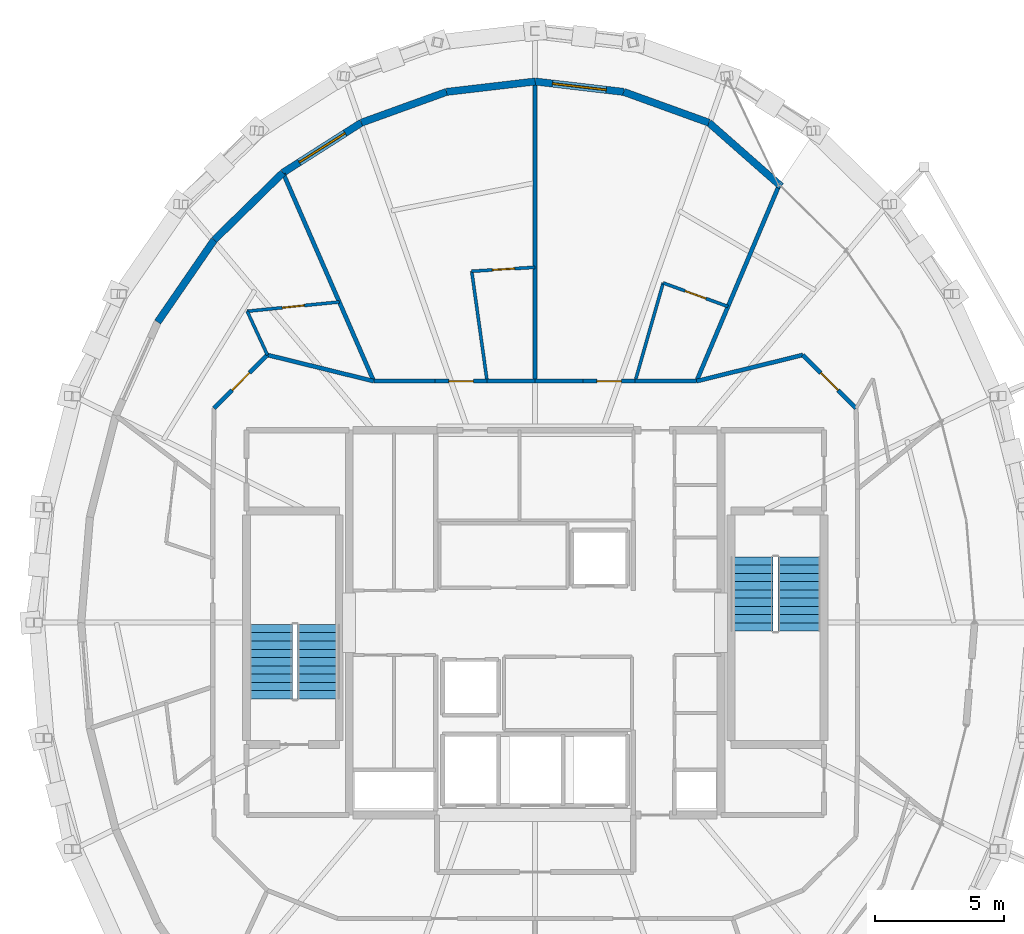
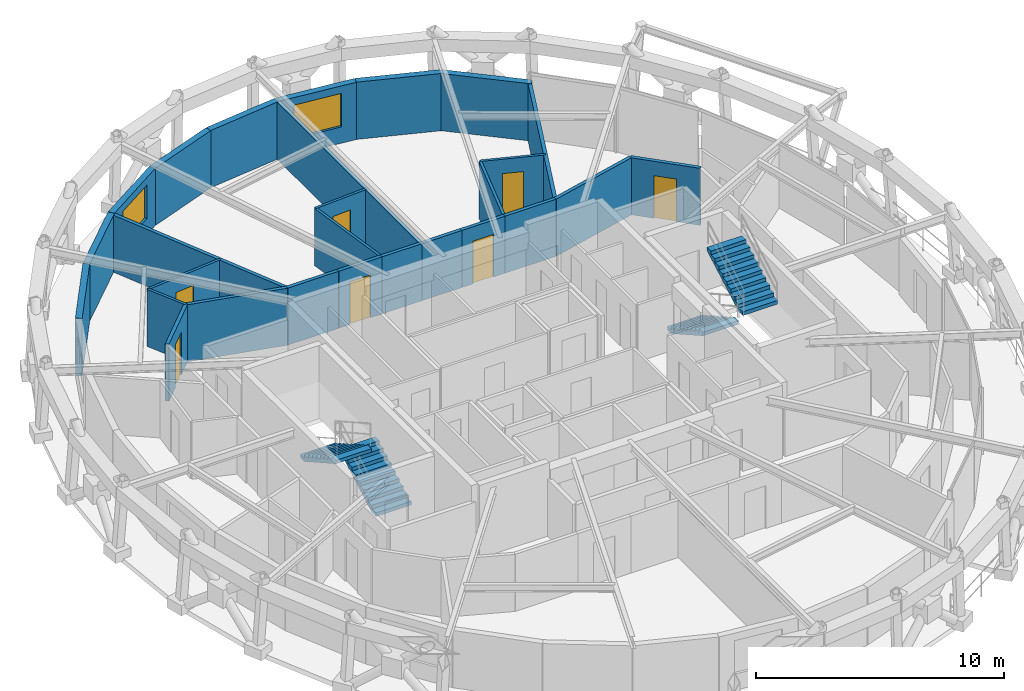
# One storey, part 13 of 14: 27 walls, 7 doors, 4 stair flights, 2 windows, 9 openings, 2 elements without a shape of their own.
"""IFC4 building model written with IfcOpenShell, lengths in metres."""

from ifc_helpers import new_model, si_unit, direction, frame, frame_2d, origin, place, context, subcontext, project, spatial, polyline, rectangle, outline, extrude, material, layer, layer_set, type_object, element, fill, aggregate, save


model = new_model("IFC4")

# Units and contexts
model_context = context("Model", 3, precision=1e-05, world=origin(), true_north=direction((0.0, 1.0)))
body_context = subcontext(model_context, "Body", "Model", "MODEL_VIEW")
ifc_project = project(units=[si_unit("LENGTHUNIT", "METRE"), si_unit("AREAUNIT", "SQUARE_METRE"), si_unit("VOLUMEUNIT", "CUBIC_METRE"), si_unit("PLANEANGLEUNIT", "RADIAN"), si_unit("MASSUNIT", "GRAM", prefix="KILO")], contexts=[model_context])

# Site, building, storey
site_placement = place(None, origin())
site = spatial("IfcSite", under=ifc_project, at=site_placement, CompositionType="ELEMENT")
building_placement = place(site_placement, origin())
building = spatial("IfcBuilding", under=site, at=building_placement, Name="Veldorina Hangang Commons", CompositionType="ELEMENT")
storey_placement = place(building_placement, frame((0.0, 0.0, 294.0)))
storey = spatial("IfcBuildingStorey", under=building, at=storey_placement, Name="L77", CompositionType="ELEMENT", Elevation=294.0)

# Walls
ifc_material_1 = material(Name="Stone Roman Travertine", Category="masonry")
ifc_layer_1 = layer(ifc_material_1, 0.280029296875)
ifc_layer_set_1 = layer_set([ifc_layer_1], Name="Stone Roman Travertine")
wall_type_1 = type_object("IfcWallType", Name="EW-TRAV-280", PredefinedType="STANDARD", material=ifc_layer_set_1)
wall_1_placement = place(storey_placement, frame((41.522705078125, 40.89453125, 0.0), z_axis=(0.0, 0.0, 1.0), x_axis=(-0.75049902536, 0.660871555549, 0.0)))
element("IfcWall", 1, at=wall_1_placement, inside=storey, type_object=wall_type_1, Name="L77 travertine facade wall 05", PredefinedType="STANDARD", context=body_context, shape_type="SweptSolid", body=[
    extrude(rectangle(XDim=3.726318359375, YDim=0.280029296875, at=frame_2d((1.86328125, 0.0))), origin(), (0.0, 0.0, 1.0), 2.820068359375),
])
wall_2_placement = place(storey_placement, frame((38.72607421875, 43.357177734375, 0.0), z_axis=(0.0, 0.0, 1.0), x_axis=(-0.940393758193, 0.340087605703, 0.0)))
element("IfcWall", 2, at=wall_2_placement, inside=storey, type_object=wall_type_1, Name="L77 travertine facade wall 06", PredefinedType="STANDARD", context=body_context, shape_type="SweptSolid", body=[
    extrude(rectangle(XDim=3.506103515625, YDim=0.280029296875, at=frame_2d((1.7529296875, 0.0))), origin(), (0.0, 0.0, 1.0), 2.820068359375),
])

# Wall, opening, window
wall_3_placement = place(storey_placement, frame((35.428955078125, 44.549560546875, 0.0), z_axis=(0.0, 0.0, 1.0), x_axis=(-0.993178090084, 0.116607381314, 0.0)))
wall_3 = element("IfcWall", 3, at=wall_3_placement, inside=storey, type_object=wall_type_1, Name="L77 travertine facade wall 07", PredefinedType="STANDARD", context=body_context, shape_type="SweptSolid", body=[
    extrude(rectangle(XDim=3.452392578125, YDim=0.280029296875, at=frame_2d((1.72607421875, 0.0))), origin(), (0.0, 0.0, 1.0), 2.820068359375),
])
opening_1_placement = place(wall_3_placement, frame((0.67626953125, 0.0, 0.800048828125)))
opening_1 = element("IfcOpeningElement", 4, at=opening_1_placement, cuts=wall_3, Name="Opening W-03", PredefinedType="OPENING", context=body_context, shape_type="SweptSolid", body=[
    extrude(rectangle(XDim=2.10009765625, YDim=1.64990234375, at=frame_2d((1.050048828125, 0.824951171875))), frame((0.0, 0.14990234375, 0.0), z_axis=(0.0, -1.0, 0.0), x_axis=(1.0, 0.0, 0.0)), (0.0, 0.0, 1.0), 0.300048828125),
])
ifc_material_2 = material(Name="Glass Low-E Triple IGU", Category="glass")
window_type = type_object("IfcWindowType", Name="WIN-TWR-2100", PartitioningType="SINGLE_PANEL", PredefinedType="WINDOW", material=ifc_material_2)
window_1_placement = place(opening_1_placement, origin())
window_1 = element("IfcWindow", 5, at=window_1_placement, inside=storey, type_object=window_type, Name="L77 facade window 07", OverallHeight=1.64990234375, OverallWidth=2.10009765625, PartitioningType="SINGLE_PANEL", PredefinedType="WINDOW", context=body_context, shape_type="SweptSolid", body=[
    extrude(rectangle(XDim=2.10009765625, YDim=1.64990234375, at=frame_2d((1.050048828125, 0.824951171875))), frame((0.0, 0.030029296875, 0.0), z_axis=(0.0, -1.0, 0.0), x_axis=(1.0, 0.0, 0.0)), (0.0, 0.0, 1.0), 0.06005859375),
])
fill(opening_1, window_1)

# Walls
wall_4_placement = place(storey_placement, frame((32.0, 44.9521484375, 0.0), z_axis=(0.0, 0.0, 1.0), x_axis=(-0.993178090084, -0.116607381314, 0.0)))
element("IfcWall", 6, at=wall_4_placement, inside=storey, type_object=wall_type_1, Name="L77 travertine facade wall 08", PredefinedType="STANDARD", context=body_context, shape_type="SweptSolid", body=[
    extrude(rectangle(XDim=3.452392578125, YDim=0.280029296875, at=frame_2d((1.72607421875, 0.0))), origin(), (0.0, 0.0, 1.0), 2.820068359375),
])
wall_5_placement = place(storey_placement, frame((28.571044921875, 44.549560546875, 0.0), z_axis=(0.0, 0.0, 1.0), x_axis=(-0.940393758193, -0.340087605703, 0.0)))
element("IfcWall", 7, at=wall_5_placement, inside=storey, type_object=wall_type_1, Name="L77 travertine facade wall 09", PredefinedType="STANDARD", context=body_context, shape_type="SweptSolid", body=[
    extrude(rectangle(XDim=3.506103515625, YDim=0.280029296875, at=frame_2d((1.7529296875, 0.0))), origin(), (0.0, 0.0, 1.0), 2.820068359375),
])

# Wall, opening, window
wall_6_placement = place(storey_placement, frame((25.27392578125, 43.357177734375, 0.0), z_axis=(0.0, 0.0, 1.0), x_axis=(-0.843329306989, -0.537397134319, 0.0)))
wall_6 = element("IfcWall", 8, at=wall_6_placement, inside=storey, type_object=wall_type_1, Name="L77 travertine facade wall 10", PredefinedType="STANDARD", context=body_context, shape_type="SweptSolid", body=[
    extrude(rectangle(XDim=3.60302734375, YDim=0.280029296875, at=frame_2d((1.801513671875, 0.0))), origin(), (0.0, 0.0, 1.0), 2.820068359375),
])
opening_2_placement = place(wall_6_placement, frame((0.751708984375, 0.0, 0.800048828125)))
opening_2 = element("IfcOpeningElement", 9, at=opening_2_placement, cuts=wall_6, Name="Opening W-03", PredefinedType="OPENING", context=body_context, shape_type="SweptSolid", body=[
    extrude(rectangle(XDim=2.10009765625, YDim=1.64990234375, at=frame_2d((1.050048828125, 0.824951171875))), frame((0.0, 0.14990234375, 0.0), z_axis=(0.0, -1.0, 0.0), x_axis=(1.0, 0.0, 0.0)), (0.0, 0.0, 1.0), 0.300048828125),
])
window_2_placement = place(opening_2_placement, origin())
window_2 = element("IfcWindow", 10, at=window_2_placement, inside=storey, type_object=window_type, Name="L77 facade window 10", OverallHeight=1.64990234375, OverallWidth=2.10009765625, PartitioningType="SINGLE_PANEL", PredefinedType="WINDOW", context=body_context, shape_type="SweptSolid", body=[
    extrude(rectangle(XDim=2.10009765625, YDim=1.64990234375, at=frame_2d((1.050048828125, 0.824951171875))), frame((0.0, 0.030029296875, 0.0), z_axis=(0.0, -1.0, 0.0), x_axis=(1.0, 0.0, 0.0)), (0.0, 0.0, 1.0), 0.06005859375),
])
fill(opening_2, window_2)

# Walls
wall_7_placement = place(storey_placement, frame((22.2353515625, 41.4208984375, 0.0), z_axis=(0.0, 0.0, 1.0), x_axis=(-0.714829041056, -0.699299250724, 0.0)))
element("IfcWall", 11, at=wall_7_placement, inside=storey, type_object=wall_type_1, Name="L77 travertine facade wall 11", PredefinedType="STANDARD", context=body_context, shape_type="SweptSolid", body=[
    extrude(rectangle(XDim=3.725830078125, YDim=0.280029296875, at=frame_2d((1.86279296875, 0.0))), origin(), (0.0, 0.0, 1.0), 2.820068359375),
])
wall_8_placement = place(storey_placement, frame((19.572021484375, 38.8154296875, 0.0), z_axis=(0.0, 0.0, 1.0), x_axis=(-0.567090463347, -0.823655514388, 0.0)))
element("IfcWall", 12, at=wall_8_placement, inside=storey, type_object=wall_type_1, Name="L77 travertine facade wall 12", PredefinedType="STANDARD", context=body_context, shape_type="SweptSolid", body=[
    extrude(rectangle(XDim=3.854736328125, YDim=0.280029296875, at=frame_2d((1.92724609375, 0.0))), origin(), (0.0, 0.0, 1.0), 2.820068359375),
])

# Wall, opening, door
ifc_material_3 = material(Name="Gypsum Fire-Rated Twin Stud Wall", Category="gypsum")
ifc_layer_2 = layer(ifc_material_3, 0.159912109375)
ifc_layer_set_2 = layer_set([ifc_layer_2], Name="Gypsum Fire-Rated Twin Stud Wall")
wall_type_2 = type_object("IfcWallType", Name="WL-FIRE-160", PredefinedType="SOLIDWALL", material=ifc_layer_set_2)
wall_9_placement = place(storey_placement, frame((44.4267578125, 32.30322265625, 0.0), z_axis=(0.0, 0.0, 1.0), x_axis=(-0.707106781187, 0.707106781187, 0.0)))
wall_9 = element("IfcWall", 13, at=wall_9_placement, inside=storey, type_object=wall_type_2, Name="L77 Compact collar outer wall 03 059", PredefinedType="SOLIDWALL", context=body_context, shape_type="SweptSolid", body=[
    extrude(rectangle(XDim=2.915771484375, YDim=0.159912109375, at=frame_2d((1.4580078125, 0.0))), origin(), (0.0, 0.0, 1.0), 2.81005859375),
])
opening_3_placement = place(wall_9_placement, frame((0.98291015625, 0.0, 0.0)))
opening_3 = element("IfcOpeningElement", 14, at=opening_3_placement, cuts=wall_9, Name="Opening D-03", PredefinedType="OPENING", context=body_context, shape_type="SweptSolid", body=[
    extrude(rectangle(XDim=0.949951171875, YDim=2.10009765625, at=frame_2d((0.47509765625, 1.050048828125))), frame((0.0, 0.08984375, 0.0), z_axis=(0.0, -1.0, 0.0), x_axis=(1.0, 0.0, 0.0)), (0.0, 0.0, 1.0), 0.179931640625),
])
ifc_material_4 = material(Name="Timber Fire-Rated Entrance Core", Category="wood")
door_type_1 = type_object("IfcDoorType", Name="DR-UNIT-950", OperationType="SINGLE_SWING_RIGHT", PredefinedType="DOOR", material=ifc_material_4)
door_1_placement = place(opening_3_placement, origin())
door_1 = element("IfcDoor", 15, at=door_1_placement, inside=storey, type_object=door_type_1, Name="L77 Studio 2 entrance door 026", OperationType="SINGLE_SWING_RIGHT", OverallHeight=2.10009765625, OverallWidth=0.949951171875, PredefinedType="DOOR", context=body_context, shape_type="SweptSolid", body=[
    extrude(rectangle(XDim=0.949951171875, YDim=2.10009765625, at=frame_2d((0.47509765625, 1.050048828125))), frame((0.0, 0.02490234375, 0.0), z_axis=(0.0, -1.0, 0.0), x_axis=(1.0, 0.0, 0.0)), (0.0, 0.0, 1.0), 0.050048828125),
])
fill(opening_3, door_1)

# Walls
wall_10_placement = place(storey_placement, frame((42.364990234375, 34.364990234375, 0.0), z_axis=(0.0, 0.0, 1.0), x_axis=(-0.970939799552, -0.239323850978, 0.0)))
element("IfcWall", 16, at=wall_10_placement, inside=storey, type_object=wall_type_2, Name="L77 Compact collar outer wall 04 060", PredefinedType="SOLIDWALL", context=body_context, shape_type="SweptSolid", body=[
    extrude(rectangle(XDim=4.24072265625, YDim=0.159912109375, at=frame_2d((2.120361328125, 0.0))), origin(), (0.0, 0.0, 1.0), 2.81005859375),
])
wall_11_placement = place(storey_placement, frame((38.24755859375, 33.35009765625, 0.0), z_axis=(0.0, 0.0, 1.0), x_axis=(-1.0, 0.0, 0.0)))
element("IfcWall", 17, at=wall_11_placement, inside=storey, type_object=wall_type_2, Name="L77 Compact collar outer wall 05 061", PredefinedType="SOLIDWALL", context=body_context, shape_type="SweptSolid", body=[
    extrude(rectangle(XDim=2.374755859375, YDim=0.159912109375, at=frame_2d((1.1875, 0.0))), origin(), (0.0, 0.0, 1.0), 2.81005859375),
])

# Wall, opening, door
wall_12_placement = place(storey_placement, frame((35.872802734375, 33.35009765625, 0.0), z_axis=(0.0, 0.0, 1.0), x_axis=(-1.0, 0.0, 0.0)))
wall_12 = element("IfcWall", 18, at=wall_12_placement, inside=storey, type_object=wall_type_2, Name="L77 Compact collar outer wall 06 062", PredefinedType="SOLIDWALL", context=body_context, shape_type="SweptSolid", body=[
    extrude(rectangle(XDim=2.012939453125, YDim=0.159912109375, at=frame_2d((1.00634765625, 0.0))), origin(), (0.0, 0.0, 1.0), 2.81005859375),
])
opening_4_placement = place(wall_12_placement, frame((0.531494140625, 0.0, 0.0)))
opening_4 = element("IfcOpeningElement", 19, at=opening_4_placement, cuts=wall_12, Name="Opening D-03", PredefinedType="OPENING", context=body_context, shape_type="SweptSolid", body=[
    extrude(rectangle(XDim=0.949951171875, YDim=2.10009765625, at=frame_2d((0.47509765625, 1.050048828125))), frame((0.0, 0.08984375, 0.0), z_axis=(0.0, -1.0, 0.0), x_axis=(1.0, 0.0, 0.0)), (0.0, 0.0, 1.0), 0.179931640625),
])
door_2_placement = place(opening_4_placement, origin())
door_2 = element("IfcDoor", 20, at=door_2_placement, inside=storey, type_object=door_type_1, Name="L77 Studio 3 entrance door 028", OperationType="SINGLE_SWING_RIGHT", OverallHeight=2.10009765625, OverallWidth=0.949951171875, PredefinedType="DOOR", context=body_context, shape_type="SweptSolid", body=[
    extrude(rectangle(XDim=0.949951171875, YDim=2.10009765625, at=frame_2d((0.47509765625, 1.050048828125))), frame((0.0, 0.02490234375, 0.0), z_axis=(0.0, -1.0, 0.0), x_axis=(1.0, 0.0, 0.0)), (0.0, 0.0, 1.0), 0.050048828125),
])
fill(opening_4, door_2)

# Walls
for number, where, z_axis, x_axis, name in (
    (21, (33.85986328125, 33.35009765625, 0.0), (0.0, 0.0, 1.0), (-1.0, 0.0, 0.0), "L77 Compact collar outer wall 07 063"),
    (22, (32.0, 33.35009765625, 0.0), (0.0, 0.0, 1.0), (-1.0, 0.0, 0.0), "L77 Compact collar outer wall 08 064"),
):
    element("IfcWall", number, at=place(storey_placement, frame(where, z_axis=z_axis, x_axis=x_axis)), inside=storey, type_object=wall_type_2, Name=name, PredefinedType="SOLIDWALL", context=body_context, shape_type="SweptSolid", body=[
        extrude(rectangle(XDim=1.85986328125, YDim=0.159912109375, at=frame_2d((0.929931640625, 0.0))), origin(), (0.0, 0.0, 1.0), 2.81005859375),
    ])

# Wall, opening, door
wall_13_placement = place(storey_placement, frame((30.14013671875, 33.35009765625, 0.0), z_axis=(0.0, 0.0, 1.0), x_axis=(-1.0, 0.0, 0.0)))
wall_13 = element("IfcWall", 23, at=wall_13_placement, inside=storey, type_object=wall_type_2, Name="L77 Compact collar outer wall 09 065", PredefinedType="SOLIDWALL", context=body_context, shape_type="SweptSolid", body=[
    extrude(rectangle(XDim=2.012939453125, YDim=0.159912109375, at=frame_2d((1.00634765625, 0.0))), origin(), (0.0, 0.0, 1.0), 2.81005859375),
])
opening_5_placement = place(wall_13_placement, frame((0.531494140625, 0.0, 0.0)))
opening_5 = element("IfcOpeningElement", 24, at=opening_5_placement, cuts=wall_13, Name="Opening D-03", PredefinedType="OPENING", context=body_context, shape_type="SweptSolid", body=[
    extrude(rectangle(XDim=0.949951171875, YDim=2.10009765625, at=frame_2d((0.47509765625, 1.050048828125))), frame((0.0, 0.08984375, 0.0), z_axis=(0.0, -1.0, 0.0), x_axis=(1.0, 0.0, 0.0)), (0.0, 0.0, 1.0), 0.179931640625),
])
door_3_placement = place(opening_5_placement, origin())
door_3 = element("IfcDoor", 25, at=door_3_placement, inside=storey, type_object=door_type_1, Name="L77 Studio 4 entrance door 030", OperationType="SINGLE_SWING_RIGHT", OverallHeight=2.10009765625, OverallWidth=0.949951171875, PredefinedType="DOOR", context=body_context, shape_type="SweptSolid", body=[
    extrude(rectangle(XDim=0.949951171875, YDim=2.10009765625, at=frame_2d((0.47509765625, 1.050048828125))), frame((0.0, 0.02490234375, 0.0), z_axis=(0.0, -1.0, 0.0), x_axis=(1.0, 0.0, 0.0)), (0.0, 0.0, 1.0), 0.050048828125),
])
fill(opening_5, door_3)

# Walls
wall_14_placement = place(storey_placement, frame((28.127197265625, 33.35009765625, 0.0), z_axis=(0.0, 0.0, 1.0), x_axis=(-1.0, 0.0, 0.0)))
element("IfcWall", 26, at=wall_14_placement, inside=storey, type_object=wall_type_2, Name="L77 Compact collar outer wall 10 066", PredefinedType="SOLIDWALL", context=body_context, shape_type="SweptSolid", body=[
    extrude(rectangle(XDim=2.374755859375, YDim=0.159912109375, at=frame_2d((1.1875, 0.0))), origin(), (0.0, 0.0, 1.0), 2.81005859375),
])
wall_15_placement = place(storey_placement, frame((25.75244140625, 33.35009765625, 0.0), z_axis=(0.0, 0.0, 1.0), x_axis=(-0.970939799552, 0.239323850978, 0.0)))
element("IfcWall", 27, at=wall_15_placement, inside=storey, type_object=wall_type_2, Name="L77 Compact collar outer wall 11 067", PredefinedType="SOLIDWALL", context=body_context, shape_type="SweptSolid", body=[
    extrude(rectangle(XDim=4.24072265625, YDim=0.159912109375, at=frame_2d((2.120361328125, 0.0))), origin(), (0.0, 0.0, 1.0), 2.81005859375),
])

# Wall, opening, door
wall_16_placement = place(storey_placement, frame((21.635009765625, 34.364990234375, 0.0), z_axis=(0.0, 0.0, 1.0), x_axis=(-0.707106781187, -0.707106781187, 0.0)))
wall_16 = element("IfcWall", 28, at=wall_16_placement, inside=storey, type_object=wall_type_2, Name="L77 Compact collar outer wall 12 068", PredefinedType="SOLIDWALL", context=body_context, shape_type="SweptSolid", body=[
    extrude(rectangle(XDim=2.915771484375, YDim=0.159912109375, at=frame_2d((1.4580078125, 0.0))), origin(), (0.0, 0.0, 1.0), 2.81005859375),
])
opening_6_placement = place(wall_16_placement, frame((0.98291015625, 0.0, 0.0)))
opening_6 = element("IfcOpeningElement", 29, at=opening_6_placement, cuts=wall_16, Name="Opening D-03", PredefinedType="OPENING", context=body_context, shape_type="SweptSolid", body=[
    extrude(rectangle(XDim=0.949951171875, YDim=2.10009765625, at=frame_2d((0.47509765625, 1.050048828125))), frame((0.0, 0.08984375, 0.0), z_axis=(0.0, -1.0, 0.0), x_axis=(1.0, 0.0, 0.0)), (0.0, 0.0, 1.0), 0.179931640625),
])
door_4_placement = place(opening_6_placement, origin())
door_4 = element("IfcDoor", 30, at=door_4_placement, inside=storey, type_object=door_type_1, Name="L77 Studio 5 entrance door 032", OperationType="SINGLE_SWING_RIGHT", OverallHeight=2.10009765625, OverallWidth=0.949951171875, PredefinedType="DOOR", context=body_context, shape_type="SweptSolid", body=[
    extrude(rectangle(XDim=0.949951171875, YDim=2.10009765625, at=frame_2d((0.47509765625, 1.050048828125))), frame((0.0, 0.02490234375, 0.0), z_axis=(0.0, -1.0, 0.0), x_axis=(1.0, 0.0, 0.0)), (0.0, 0.0, 1.0), 0.050048828125),
])
fill(opening_6, door_4)

# Walls
wall_17_placement = place(storey_placement, frame((38.24755859375, 33.35009765625, 0.0), z_axis=(0.0, 0.0, 1.0), x_axis=(0.388445474078, 0.921471710726, 0.0)))
element("IfcWall", 31, at=wall_17_placement, inside=storey, type_object=wall_type_2, Name="L77 Unit party wall 05 092", PredefinedType="SOLIDWALL", context=body_context, shape_type="SweptSolid", body=[
    extrude(rectangle(XDim=8.203369140625, YDim=0.159912109375, at=frame_2d((4.1015625, 0.0))), origin(), (0.0, 0.0, 1.0), 2.81005859375),
])
wall_18_placement = place(storey_placement, frame((32.0, 33.35009765625, 0.0), z_axis=(0.0, 0.0, 1.0), x_axis=(0.0, 1.0, 0.0)))
element("IfcWall", 32, at=wall_18_placement, inside=storey, type_object=wall_type_2, Name="L77 Unit party wall 08 095", PredefinedType="SOLIDWALL", context=body_context, shape_type="SweptSolid", body=[
    extrude(rectangle(XDim=11.552001953125, YDim=0.159912109375, at=frame_2d((5.77587890625, 0.0))), origin(), (0.0, 0.0, 1.0), 2.81005859375),
])
wall_19_placement = place(storey_placement, frame((25.75244140625, 33.35009765625, 0.0), z_axis=(0.0, 0.0, 1.0), x_axis=(-0.399482659975, 0.91674075091, 0.0)))
element("IfcWall", 33, at=wall_19_placement, inside=storey, type_object=wall_type_2, Name="L77 Unit party wall 11 098", PredefinedType="SOLIDWALL", context=body_context, shape_type="SweptSolid", body=[
    extrude(rectangle(XDim=8.75390625, YDim=0.159912109375, at=frame_2d((4.376953125, 0.0))), origin(), (0.0, 0.0, 1.0), 2.81005859375),
])

# Wall, opening, door
ifc_material_5 = material(Name="Gypsum Acoustic Stud Partition", Category="gypsum")
ifc_layer_3 = layer(ifc_material_5, 0.1201171875)
ifc_layer_set_3 = layer_set([ifc_layer_3], Name="Gypsum Acoustic Stud Partition")
wall_type_3 = type_object("IfcWallType", Name="WL-PART-120", PredefinedType="PARTITIONING", material=ifc_layer_set_3)
wall_20_placement = place(storey_placement, frame((39.4658203125, 36.239990234375, 0.0), z_axis=(0.0, 0.0, 1.0), x_axis=(-0.939756036214, 0.341845860585, 0.0)))
wall_20 = element("IfcWall", 34, at=wall_20_placement, inside=storey, type_object=wall_type_3, Name="L77 Studio 3 bath front wall 093", PredefinedType="PARTITIONING", context=body_context, shape_type="SweptSolid", body=[
    extrude(rectangle(XDim=2.669677734375, YDim=0.1201171875, at=frame_2d((1.3349609375, 0.0))), origin(), (0.0, 0.0, 1.0), 2.81005859375),
])
opening_7_placement = place(wall_20_placement, frame((0.90478515625, 0.0, 0.0)))
opening_7 = element("IfcOpeningElement", 35, at=opening_7_placement, cuts=wall_20, Name="Opening D-01", PredefinedType="OPENING", context=body_context, shape_type="SweptSolid", body=[
    extrude(rectangle(XDim=0.860107421875, YDim=2.10009765625, at=frame_2d((0.43017578125, 1.050048828125))), frame((0.0, 0.070068359375, 0.0), z_axis=(0.0, -1.0, 0.0), x_axis=(1.0, 0.0, 0.0)), (0.0, 0.0, 1.0), 0.14013671875),
])
ifc_material_6 = material(Name="Timber Moisture-Resistant Core", Category="wood")
door_type_2 = type_object("IfcDoorType", Name="DR-WET-860", OperationType="SINGLE_SWING_LEFT", PredefinedType="DOOR", material=ifc_material_6)
door_5_placement = place(opening_7_placement, origin())
door_5 = element("IfcDoor", 36, at=door_5_placement, inside=storey, type_object=door_type_2, Name="L77 Studio 3 bathroom door 027", OperationType="SINGLE_SWING_LEFT", OverallHeight=2.10009765625, OverallWidth=0.860107421875, PredefinedType="DOOR", context=body_context, shape_type="SweptSolid", body=[
    extrude(rectangle(XDim=0.860107421875, YDim=2.10009765625, at=frame_2d((0.43017578125, 1.050048828125))), frame((0.0, 0.02490234375, 0.0), z_axis=(0.0, -1.0, 0.0), x_axis=(1.0, 0.0, 0.0)), (0.0, 0.0, 1.0), 0.050048828125),
])
fill(opening_7, door_5)

# Wall
wall_21_placement = place(storey_placement, frame((35.872802734375, 33.35009765625, 0.0), z_axis=(0.0, 0.0, 1.0), x_axis=(0.274207327835, 0.961670599198, 0.0)))
element("IfcWall", 37, at=wall_21_placement, inside=storey, type_object=wall_type_3, Name="L77 Studio 3 bath side wall 094", PredefinedType="PARTITIONING", context=body_context, shape_type="SweptSolid", body=[
    extrude(rectangle(XDim=3.9541015625, YDim=0.1201171875, at=frame_2d((1.97705078125, 0.0))), origin(), (0.0, 0.0, 1.0), 2.81005859375),
])

# Wall, opening, door
wall_22_placement = place(storey_placement, frame((32.0, 37.7587890625, 0.0), z_axis=(0.0, 0.0, 1.0), x_axis=(-0.998063372487, -0.062205341407, 0.0)))
wall_22 = element("IfcWall", 38, at=wall_22_placement, inside=storey, type_object=wall_type_3, Name="L77 Studio 4 bath front wall 096", PredefinedType="PARTITIONING", context=body_context, shape_type="SweptSolid", body=[
    extrude(rectangle(XDim=2.4609375, YDim=0.1201171875, at=frame_2d((1.23046875, 0.0))), origin(), (0.0, 0.0, 1.0), 2.81005859375),
])
opening_8_placement = place(wall_22_placement, frame((0.800537109375, 0.0, 0.0)))
opening_8 = element("IfcOpeningElement", 39, at=opening_8_placement, cuts=wall_22, Name="Opening D-01", PredefinedType="OPENING", context=body_context, shape_type="SweptSolid", body=[
    extrude(rectangle(XDim=0.860107421875, YDim=2.10009765625, at=frame_2d((0.43017578125, 1.050048828125))), frame((0.0, 0.070068359375, 0.0), z_axis=(0.0, -1.0, 0.0), x_axis=(1.0, 0.0, 0.0)), (0.0, 0.0, 1.0), 0.14013671875),
])
door_6_placement = place(opening_8_placement, origin())
door_6 = element("IfcDoor", 40, at=door_6_placement, inside=storey, type_object=door_type_2, Name="L77 Studio 4 bathroom door 029", OperationType="SINGLE_SWING_LEFT", OverallHeight=2.10009765625, OverallWidth=0.860107421875, PredefinedType="DOOR", context=body_context, shape_type="SweptSolid", body=[
    extrude(rectangle(XDim=0.860107421875, YDim=2.10009765625, at=frame_2d((0.43017578125, 1.050048828125))), frame((0.0, 0.02490234375, 0.0), z_axis=(0.0, -1.0, 0.0), x_axis=(1.0, 0.0, 0.0)), (0.0, 0.0, 1.0), 0.050048828125),
])
fill(opening_8, door_6)

# Wall
wall_23_placement = place(storey_placement, frame((30.14013671875, 33.35009765625, 0.0), z_axis=(0.0, 0.0, 1.0), x_axis=(-0.138740342573, 0.990328792545, 0.0)))
element("IfcWall", 41, at=wall_23_placement, inside=storey, type_object=wall_type_3, Name="L77 Studio 4 bath side wall 097", PredefinedType="PARTITIONING", context=body_context, shape_type="SweptSolid", body=[
    extrude(rectangle(XDim=4.297119140625, YDim=0.1201171875, at=frame_2d((2.1484375, 0.0))), origin(), (0.0, 0.0, 1.0), 2.81005859375),
])

# Wall, opening, door
wall_24_placement = place(storey_placement, frame((24.416015625, 36.4169921875, 0.0), z_axis=(0.0, 0.0, 1.0), x_axis=(-0.994916385041, -0.100704452615, 0.0)))
wall_24 = element("IfcWall", 42, at=wall_24_placement, inside=storey, type_object=wall_type_3, Name="L77 Studio 5 bath front wall 099", PredefinedType="PARTITIONING", context=body_context, shape_type="SweptSolid", body=[
    extrude(rectangle(XDim=3.583251953125, YDim=0.1201171875, at=frame_2d((1.79150390625, 0.0))), origin(), (0.0, 0.0, 1.0), 2.81005859375),
])
opening_9_placement = place(wall_24_placement, frame((1.361572265625, 0.0, 0.0)))
opening_9 = element("IfcOpeningElement", 43, at=opening_9_placement, cuts=wall_24, Name="Opening D-01", PredefinedType="OPENING", context=body_context, shape_type="SweptSolid", body=[
    extrude(rectangle(XDim=0.860107421875, YDim=2.10009765625, at=frame_2d((0.43017578125, 1.050048828125))), frame((0.0, 0.070068359375, 0.0), z_axis=(0.0, -1.0, 0.0), x_axis=(1.0, 0.0, 0.0)), (0.0, 0.0, 1.0), 0.14013671875),
])
door_7_placement = place(opening_9_placement, origin())
door_7 = element("IfcDoor", 44, at=door_7_placement, inside=storey, type_object=door_type_2, Name="L77 Studio 5 bathroom door 031", OperationType="SINGLE_SWING_LEFT", OverallHeight=2.10009765625, OverallWidth=0.860107421875, PredefinedType="DOOR", context=body_context, shape_type="SweptSolid", body=[
    extrude(rectangle(XDim=0.860107421875, YDim=2.10009765625, at=frame_2d((0.43017578125, 1.050048828125))), frame((0.0, 0.02490234375, 0.0), z_axis=(0.0, -1.0, 0.0), x_axis=(1.0, 0.0, 0.0)), (0.0, 0.0, 1.0), 0.050048828125),
])
fill(opening_9, door_7)

# Wall
wall_25_placement = place(storey_placement, frame((21.635009765625, 34.364990234375, 0.0), z_axis=(0.0, 0.0, 1.0), x_axis=(-0.42056094126, 0.907264291531, 0.0)))
element("IfcWall", 45, at=wall_25_placement, inside=storey, type_object=wall_type_3, Name="L77 Studio 5 bath side wall 100", PredefinedType="PARTITIONING", context=body_context, shape_type="SweptSolid", body=[
    extrude(rectangle(XDim=1.864013671875, YDim=0.1201171875, at=frame_2d((0.93212890625, 0.0))), origin(), (0.0, 0.0, 1.0), 2.81005859375),
])

# Stair, stair flights
ifc_material_7 = material(Name="Concrete C40/50", Category="concrete")
stair_type = type_object("IfcStairType", Name="STR-DOG-1650-20R", PredefinedType="HALF_TURN_STAIR", material=ifc_material_7)
stair_1_placement = place(storey_placement, origin())
stair_1 = element("IfcStair", 46, at=stair_1_placement, inside=storey, type_object=stair_type, Name="L77 Exit stair ST-1", PredefinedType="HALF_TURN_STAIR")
stair_flight_type = type_object("IfcStairFlightType", Name="SFL-STR-1650-20R", PredefinedType="STRAIGHT", material=ifc_material_7)
stair_flight_1_placement = place(storey_placement, frame((23.625, 21.050048828125, 0.0), z_axis=(0.0, 0.0, 1.0), x_axis=(0.0, 1.0, 0.0)))
stair_flight_1 = element("IfcStairFlight", 47, at=stair_flight_1_placement, type_object=stair_flight_type, Name="ST-1 flight 1", NumberOfRisers=10, NumberOfTreads=9, PredefinedType="STRAIGHT", RiserHeight=0.18, TreadLength=0.32, context=body_context, shape_type="SweptSolid", body=[
    extrude(outline(polyline([(0.0, 0.0), (0.0, 0.179931640625), (0.320068359375, 0.179931640625), (0.320068359375, 0.360107421875), (0.639892578125, 0.360107421875), (0.639892578125, 0.5400390625), (0.9599609375, 0.5400390625), (0.9599609375, 0.719970703125), (1.280029296875, 0.719970703125), (1.280029296875, 0.89990234375), (1.60009765625, 0.89990234375), (1.60009765625, 1.080078125), (1.919921875, 1.080078125), (1.919921875, 1.260009765625), (2.239990234375, 1.260009765625), (2.239990234375, 1.43994140625), (2.56005859375, 1.43994140625), (2.56005859375, 1.6201171875), (2.8798828125, 1.6201171875), (2.8798828125, 1.800048828125), (2.8798828125, 1.447998046875), (0.3056640625, 0.0), (0.0, 0.0)])), frame((0.0, 0.824951171875, 0.0), z_axis=(0.0, -1.0, 0.0), x_axis=(1.0, 0.0, 0.0)), (0.0, 0.0, 1.0), 1.64990234375),
])
stair_flight_2_placement = place(storey_placement, frame((21.77490234375, 23.929931640625, 1.800048828125), z_axis=(0.0, 0.0, 1.0), x_axis=(0.0, -1.0, 0.0)))
stair_flight_2 = element("IfcStairFlight", 48, at=stair_flight_2_placement, type_object=stair_flight_type, Name="ST-1 flight 2", NumberOfRisers=10, NumberOfTreads=9, PredefinedType="STRAIGHT", RiserHeight=0.18, TreadLength=0.32, context=body_context, shape_type="SweptSolid", body=[
    extrude(outline(polyline([(0.0, 0.0), (0.0, 0.179931640625), (0.320068359375, 0.179931640625), (0.320068359375, 0.360107421875), (0.639892578125, 0.360107421875), (0.639892578125, 0.5400390625), (0.9599609375, 0.5400390625), (0.9599609375, 0.719970703125), (1.280029296875, 0.719970703125), (1.280029296875, 0.89990234375), (1.60009765625, 0.89990234375), (1.60009765625, 1.080078125), (1.919921875, 1.080078125), (1.919921875, 1.260009765625), (2.239990234375, 1.260009765625), (2.239990234375, 1.43994140625), (2.56005859375, 1.43994140625), (2.56005859375, 1.6201171875), (2.8798828125, 1.6201171875), (2.8798828125, 1.800048828125), (2.8798828125, 1.447998046875), (0.3056640625, 0.0), (0.0, 0.0)])), frame((0.0, 0.824951171875, 0.0), z_axis=(0.0, -1.0, 0.0), x_axis=(1.0, 0.0, 0.0)), (0.0, 0.0, 1.0), 1.64990234375),
])
aggregate(stair_1, [stair_flight_1, stair_flight_2])

stair_2_placement = place(storey_placement, origin())
stair_2 = element("IfcStair", 49, at=stair_2_placement, inside=storey, type_object=stair_type, Name="L77 Exit stair ST-2", PredefinedType="HALF_TURN_STAIR")
stair_flight_3_placement = place(storey_placement, frame((40.375, 26.550048828125, 0.0), z_axis=(0.0, 0.0, 1.0), x_axis=(0.0, -1.0, 0.0)))
stair_flight_3 = element("IfcStairFlight", 50, at=stair_flight_3_placement, type_object=stair_flight_type, Name="ST-2 flight 1", NumberOfRisers=10, NumberOfTreads=9, PredefinedType="STRAIGHT", RiserHeight=0.18, TreadLength=0.32, context=body_context, shape_type="SweptSolid", body=[
    extrude(outline(polyline([(0.0, 0.0), (0.0, 0.179931640625), (0.320068359375, 0.179931640625), (0.320068359375, 0.360107421875), (0.639892578125, 0.360107421875), (0.639892578125, 0.5400390625), (0.9599609375, 0.5400390625), (0.9599609375, 0.719970703125), (1.280029296875, 0.719970703125), (1.280029296875, 0.89990234375), (1.60009765625, 0.89990234375), (1.60009765625, 1.080078125), (1.919921875, 1.080078125), (1.919921875, 1.260009765625), (2.239990234375, 1.260009765625), (2.239990234375, 1.43994140625), (2.56005859375, 1.43994140625), (2.56005859375, 1.6201171875), (2.8798828125, 1.6201171875), (2.8798828125, 1.800048828125), (2.8798828125, 1.447998046875), (0.3056640625, 0.0), (0.0, 0.0)])), frame((0.0, 0.824951171875, 0.0), z_axis=(0.0, -1.0, 0.0), x_axis=(1.0, 0.0, 0.0)), (0.0, 0.0, 1.0), 1.64990234375),
])
stair_flight_4_placement = place(storey_placement, frame((42.22509765625, 23.669921875, 1.800048828125), z_axis=(0.0, 0.0, 1.0), x_axis=(0.0, 1.0, 0.0)))
stair_flight_4 = element("IfcStairFlight", 51, at=stair_flight_4_placement, type_object=stair_flight_type, Name="ST-2 flight 2", NumberOfRisers=10, NumberOfTreads=9, PredefinedType="STRAIGHT", RiserHeight=0.18, TreadLength=0.32, context=body_context, shape_type="SweptSolid", body=[
    extrude(outline(polyline([(0.0, 0.0), (0.0, 0.179931640625), (0.320068359375, 0.179931640625), (0.320068359375, 0.360107421875), (0.639892578125, 0.360107421875), (0.639892578125, 0.5400390625), (0.9599609375, 0.5400390625), (0.9599609375, 0.719970703125), (1.280029296875, 0.719970703125), (1.280029296875, 0.89990234375), (1.60009765625, 0.89990234375), (1.60009765625, 1.080078125), (1.919921875, 1.080078125), (1.919921875, 1.260009765625), (2.239990234375, 1.260009765625), (2.239990234375, 1.43994140625), (2.56005859375, 1.43994140625), (2.56005859375, 1.6201171875), (2.8798828125, 1.6201171875), (2.8798828125, 1.800048828125), (2.8798828125, 1.447998046875), (0.3056640625, 0.0), (0.0, 0.0)])), frame((0.0, 0.824951171875, 0.0), z_axis=(0.0, -1.0, 0.0), x_axis=(1.0, 0.0, 0.0)), (0.0, 0.0, 1.0), 1.64990234375),
])
aggregate(stair_2, [stair_flight_3, stair_flight_4])

save(model, "model.ifc")
